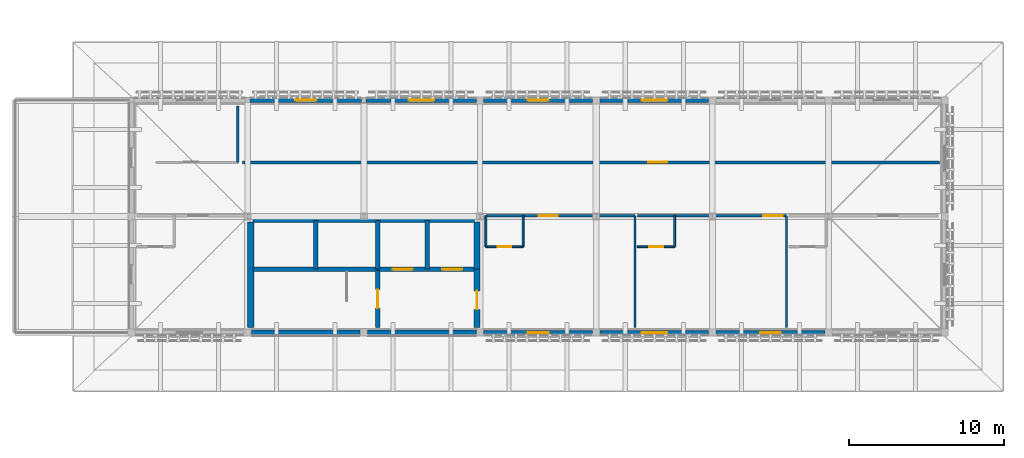
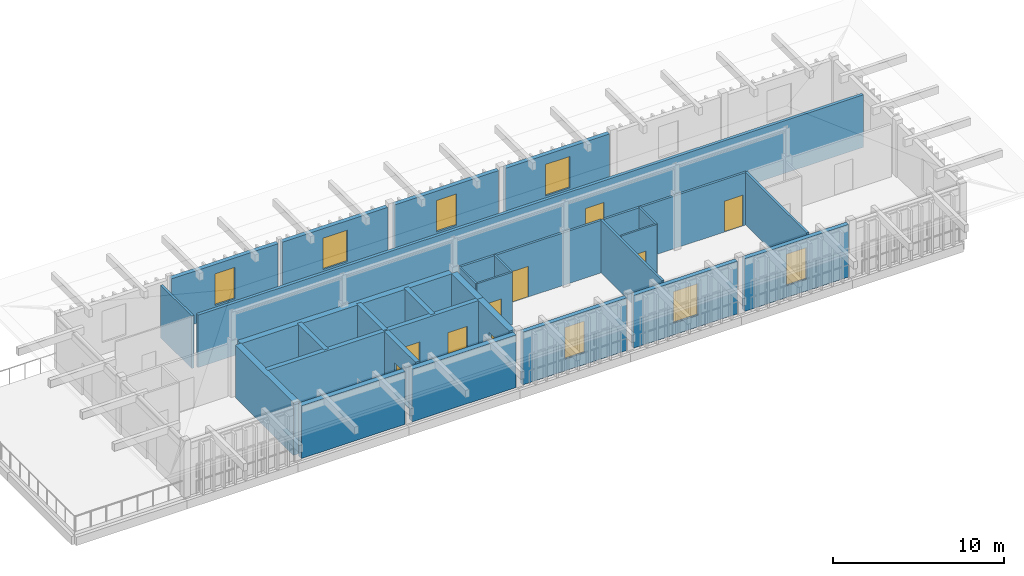
# One storey, part 18 of 33: 30 walls, 9 doors, 7 windows, 16 openings.
"""IFC4 building model written with IfcOpenShell, lengths in metres."""

from ifc_helpers import new_model, si_unit, direction, frame, frame_2d, origin, place, context, subcontext, project, spatial, rectangle, extrude, material, layer, layer_set, type_object, element, fill, save


model = new_model("IFC4")

# Units and contexts
model_context = context("Model", 3, precision=1e-05, world=origin(), true_north=direction((0.0, 1.0)))
body_context = subcontext(model_context, "Body", "Model", "MODEL_VIEW")
ifc_project = project(units=[si_unit("LENGTHUNIT", "METRE"), si_unit("AREAUNIT", "SQUARE_METRE"), si_unit("VOLUMEUNIT", "CUBIC_METRE"), si_unit("PLANEANGLEUNIT", "RADIAN"), si_unit("MASSUNIT", "GRAM", prefix="KILO")], contexts=[model_context])

# Site, building, storey
site_placement = place(None, origin())
site = spatial("IfcSite", under=ifc_project, at=site_placement, CompositionType="ELEMENT")
building_placement = place(site_placement, origin())
building = spatial("IfcBuilding", under=site, at=building_placement, Name="Dalvernix Boulevard General Hospital", CompositionType="ELEMENT")
storey_placement = place(building_placement, frame((0.0, 0.0, 21.89990234375)))
storey = spatial("IfcBuildingStorey", under=building, at=storey_placement, Name="L05", CompositionType="ELEMENT", Elevation=21.89990234375)

# Walls
ifc_material_1 = material(Name="Concrete C40/50", Category="concrete")
ifc_layer_1 = layer(ifc_material_1, 0.39990234375)
ifc_layer_set_1 = layer_set([ifc_layer_1], Name="Concrete C40/50 (WAL-CSW-01)")
wall_type_1 = type_object("IfcWallType", Name="WAL-CSW-01", PredefinedType="SHEAR", material=ifc_layer_set_1)
wall_1_placement = place(storey_placement, frame((127.85009765625, 14.800048828125, 0.0), z_axis=(0.0, 0.0, 1.0), x_axis=(1.0, 0.0, 0.0)))
element("IfcWall", 1, at=wall_1_placement, inside=storey, type_object=wall_type_1, Name="L05 C5 north shaft core wall", PredefinedType="SHEAR", context=body_context, shape_type="SweptSolid", body=[
    extrude(rectangle(XDim=14.2998046875, YDim=0.39990234375, at=frame_2d((7.14990234375, 0.0))), origin(), (0.0, 0.0, 1.0), 3.77001953125),
])
wall_2_placement = place(storey_placement, frame((127.699951171875, 7.85009765625, 0.0), z_axis=(0.0, 0.0, 1.0), x_axis=(0.0, 1.0, 0.0)))
element("IfcWall", 2, at=wall_2_placement, inside=storey, type_object=wall_type_1, Name="L05 C5 west core wall", PredefinedType="SHEAR", context=body_context, shape_type="SweptSolid", body=[
    extrude(rectangle(XDim=6.7998046875, YDim=0.39990234375, at=frame_2d((3.39990234375, 0.0))), origin(), (0.0, 0.0, 1.0), 3.77001953125),
])

# Wall, opening, door
wall_3_placement = place(storey_placement, frame((142.300048828125, 7.85009765625, 0.0), z_axis=(0.0, 0.0, 1.0), x_axis=(0.0, 1.0, 0.0)))
wall_3 = element("IfcWall", 3, at=wall_3_placement, inside=storey, type_object=wall_type_1, Name="L05 C5 east lobby core wall", PredefinedType="SHEAR", context=body_context, shape_type="SweptSolid", body=[
    extrude(rectangle(XDim=3.75, YDim=0.39990234375, at=frame_2d((1.875, 0.0))), origin(), (0.0, 0.0, 1.0), 3.77001953125),
])
opening_1_placement = place(wall_3_placement, frame((1.14990234375, 0.0, 0.0)))
opening_1 = element("IfcOpeningElement", 4, at=opening_1_placement, cuts=wall_3, Name="Opening FD-02", PredefinedType="OPENING", context=body_context, shape_type="SweptSolid", body=[
    extrude(rectangle(XDim=1.199951171875, YDim=2.25, at=frame_2d((0.60009765625, 1.125))), frame((0.0, 0.2099609375, 0.0), z_axis=(0.0, -1.0, 0.0), x_axis=(1.0, 0.0, 0.0)), (0.0, 0.0, 1.0), 0.419921875),
])
ifc_material_2 = material(Name="Hospital laminate acoustic timber and steel frame", Category="steel")
door_type_1 = type_object("IfcDoorType", Name="DR-FD-02", OperationType="NOTDEFINED", PredefinedType="DOOR", material=ifc_material_2)
door_1_placement = place(opening_1_placement, origin())
door_1 = element("IfcDoor", 5, at=door_1_placement, inside=storey, type_object=door_type_1, Name="L05 C5 east lobby fire door", OperationType="SINGLE_SWING_LEFT", OverallHeight=2.25, OverallWidth=1.199951171875, PredefinedType="DOOR", context=body_context, shape_type="SweptSolid", body=[
    extrude(rectangle(XDim=1.199951171875, YDim=2.25, at=frame_2d((0.60009765625, 1.125))), frame((0.0, 0.02490234375, 0.0), z_axis=(0.0, -1.0, 0.0), x_axis=(1.0, 0.0, 0.0)), (0.0, 0.0, 1.0), 0.050048828125),
])
fill(opening_1, door_1)

# Walls
wall_4_placement = place(storey_placement, frame((142.300048828125, 11.60009765625, 0.0), z_axis=(0.0, 0.0, 1.0), x_axis=(0.0, 1.0, 0.0)))
element("IfcWall", 6, at=wall_4_placement, inside=storey, type_object=wall_type_1, Name="L05 C5 east shaft core wall", PredefinedType="SHEAR", context=body_context, shape_type="SweptSolid", body=[
    extrude(rectangle(XDim=3.0498046875, YDim=0.39990234375, at=frame_2d((1.52490234375, 0.0))), origin(), (0.0, 0.0, 1.0), 3.77001953125),
])
ifc_layer_2 = layer(ifc_material_1, 0.300048828125)
ifc_layer_set_2 = layer_set([ifc_layer_2], Name="Concrete C40/50 (WAL-CSW-02)")
wall_type_2 = type_object("IfcWallType", Name="WAL-CSW-02", PredefinedType="SHEAR", material=ifc_layer_set_2)
wall_5_placement = place(storey_placement, frame((127.85009765625, 11.60009765625, 0.0), z_axis=(0.0, 0.0, 1.0), x_axis=(1.0, 0.0, 0.0)))
element("IfcWall", 7, at=wall_5_placement, inside=storey, type_object=wall_type_2, Name="L05 C5 riser spine wall", PredefinedType="SHEAR", context=body_context, shape_type="SweptSolid", body=[
    extrude(rectangle(XDim=8.0498046875, YDim=0.300048828125, at=frame_2d((4.02490234375, 0.0))), origin(), (0.0, 0.0, 1.0), 3.77001953125),
])

# Wall, openings, doors
wall_6_placement = place(storey_placement, frame((135.89990234375, 11.60009765625, 0.0), z_axis=(0.0, 0.0, 1.0), x_axis=(1.0, 0.0, 0.0)))
wall_6 = element("IfcWall", 8, at=wall_6_placement, inside=storey, type_object=wall_type_2, Name="L05 C5 lift shaft front wall", PredefinedType="SHEAR", context=body_context, shape_type="SweptSolid", body=[
    extrude(rectangle(XDim=6.25, YDim=0.300048828125, at=frame_2d((3.125, 0.0))), origin(), (0.0, 0.0, 1.0), 3.77001953125),
])
opening_2_placement = place(wall_6_placement, frame((0.949951171875, 0.0, 0.0)))
opening_2 = element("IfcOpeningElement", 9, at=opening_2_placement, cuts=wall_6, Name="Opening LD-LF-04-L05", PredefinedType="OPENING", context=body_context, shape_type="SweptSolid", body=[
    extrude(rectangle(XDim=1.300048828125, YDim=2.199951171875, at=frame_2d((0.64990234375, 1.10009765625))), frame((0.0, 0.159912109375, 0.0), z_axis=(0.0, -1.0, 0.0), x_axis=(1.0, 0.0, 0.0)), (0.0, 0.0, 1.0), 0.320068359375),
])
opening_3_placement = place(wall_6_placement, frame((4.14990234375, 0.0, 0.0)))
opening_3 = element("IfcOpeningElement", 10, at=opening_3_placement, cuts=wall_6, Name="Opening LD-LF-05-L05", PredefinedType="OPENING", context=body_context, shape_type="SweptSolid", body=[
    extrude(rectangle(XDim=1.300048828125, YDim=2.199951171875, at=frame_2d((0.64990234375, 1.10009765625))), frame((0.0, 0.159912109375, 0.0), z_axis=(0.0, -1.0, 0.0), x_axis=(1.0, 0.0, 0.0)), (0.0, 0.0, 1.0), 0.320068359375),
])
ifc_material_3 = material(Name="Stainless-clad steel", Category="steel")
door_type_2 = type_object("IfcDoorType", Name="DR-LD-02", OperationType="DOUBLE_DOOR_SLIDING", PredefinedType="DOOR", material=ifc_material_3)
door_2_placement = place(opening_2_placement, origin())
door_2 = element("IfcDoor", 11, at=door_2_placement, inside=storey, type_object=door_type_2, Name="L05 Lift LF-04 sliding landing door", OperationType="DOUBLE_DOOR_SLIDING", OverallHeight=2.199951171875, OverallWidth=1.300048828125, PredefinedType="DOOR", context=body_context, shape_type="SweptSolid", body=[
    extrude(rectangle(XDim=1.300048828125, YDim=2.199951171875, at=frame_2d((0.64990234375, 1.10009765625))), frame((0.0, 0.02490234375, 0.0), z_axis=(0.0, -1.0, 0.0), x_axis=(1.0, 0.0, 0.0)), (0.0, 0.0, 1.0), 0.050048828125),
])
fill(opening_2, door_2)
door_3_placement = place(opening_3_placement, origin())
door_3 = element("IfcDoor", 12, at=door_3_placement, inside=storey, type_object=door_type_2, Name="L05 Lift LF-05 sliding landing door", OperationType="DOUBLE_DOOR_SLIDING", OverallHeight=2.199951171875, OverallWidth=1.300048828125, PredefinedType="DOOR", context=body_context, shape_type="SweptSolid", body=[
    extrude(rectangle(XDim=1.300048828125, YDim=2.199951171875, at=frame_2d((0.64990234375, 1.10009765625))), frame((0.0, 0.02490234375, 0.0), z_axis=(0.0, -1.0, 0.0), x_axis=(1.0, 0.0, 0.0)), (0.0, 0.0, 1.0), 0.050048828125),
])
fill(opening_3, door_3)

# Wall, opening, door
wall_7_placement = place(storey_placement, frame((135.89990234375, 11.5, 0.0), z_axis=(0.0, 0.0, 1.0), x_axis=(0.0, -1.0, 0.0)))
wall_7 = element("IfcWall", 13, at=wall_7_placement, inside=storey, type_object=wall_type_2, Name="L05 C5 stairwell fire wall", PredefinedType="SHEAR", context=body_context, shape_type="SweptSolid", body=[
    extrude(rectangle(XDim=3.64990234375, YDim=0.300048828125, at=frame_2d((1.824951171875, 0.0))), origin(), (0.0, 0.0, 1.0), 3.77001953125),
])
opening_4_placement = place(wall_7_placement, frame((1.219970703125, 0.0, 0.0)))
opening_4 = element("IfcOpeningElement", 14, at=opening_4_placement, cuts=wall_7, Name="Opening FD-02", PredefinedType="OPENING", context=body_context, shape_type="SweptSolid", body=[
    extrude(rectangle(XDim=1.199951171875, YDim=2.25, at=frame_2d((0.60009765625, 1.125))), frame((0.0, 0.159912109375, 0.0), z_axis=(0.0, -1.0, 0.0), x_axis=(1.0, 0.0, 0.0)), (0.0, 0.0, 1.0), 0.320068359375),
])
door_4_placement = place(opening_4_placement, origin())
door_4 = element("IfcDoor", 15, at=door_4_placement, inside=storey, type_object=door_type_1, Name="L05 Stair ST-05 fire door", OperationType="SINGLE_SWING_LEFT", OverallHeight=2.25, OverallWidth=1.199951171875, PredefinedType="DOOR", context=body_context, shape_type="SweptSolid", body=[
    extrude(rectangle(XDim=1.199951171875, YDim=2.25, at=frame_2d((0.60009765625, 1.125))), frame((0.0, 0.02490234375, 0.0), z_axis=(0.0, -1.0, 0.0), x_axis=(1.0, 0.0, 0.0)), (0.0, 0.0, 1.0), 0.050048828125),
])
fill(opening_4, door_4)

# Walls
for number, where, z_axis, x_axis, name in (
    (16, (131.89990234375, 11.60009765625, 0.0), (0.0, 0.0, 1.0), (0.0, 1.0, 0.0), "L05 C5 shaft divider R1"),
    (17, (135.89990234375, 11.60009765625, 0.0), (0.0, 0.0, 1.0), (0.0, 1.0, 0.0), "L05 C5 shaft divider R2"),
    (18, (139.10009765625, 11.60009765625, 0.0), (0.0, 0.0, 1.0), (0.0, 1.0, 0.0), "L05 C5 shaft divider L1"),
):
    element("IfcWall", number, at=place(storey_placement, frame(where, z_axis=z_axis, x_axis=x_axis)), inside=storey, type_object=wall_type_2, Name=name, PredefinedType="SHEAR", context=body_context, shape_type="SweptSolid", body=[
        extrude(rectangle(XDim=3.14990234375, YDim=0.300048828125, at=frame_2d((1.574951171875, 0.0))), origin(), (0.0, 0.0, 1.0), 3.77001953125),
    ])
ifc_layer_3 = layer(ifc_material_1, 0.35009765625)
ifc_layer_set_3 = layer_set([ifc_layer_3], Name="Concrete C40/50 (WAL-ESW-01)")
wall_type_3 = type_object("IfcWallType", Name="WAL-ESW-01", PredefinedType="SHEAR", material=ifc_layer_set_3)
for number, where, z_axis, x_axis, name in (
    (19, (134.764892578125, 7.5, 0.0), (0.0, 0.0, 1.0), (-1.0, 0.0, 0.0), "L05 core perimeter shear wall S 17-1"),
    (20, (142.264892578125, 7.5, 0.0), (0.0, 0.0, 1.0), (-1.0, 0.0, 0.0), "L05 core perimeter shear wall S 18-1"),
):
    element("IfcWall", number, at=place(storey_placement, frame(where, z_axis=z_axis, x_axis=x_axis)), inside=storey, type_object=wall_type_3, Name=name, PredefinedType="SHEAR", context=body_context, shape_type="SweptSolid", body=[
        extrude(rectangle(XDim=7.02978515625, YDim=0.35009765625, at=frame_2d((3.514892578125, 0.0))), origin(), (0.0, 0.0, 1.0), 3.77001953125),
    ])

# Wall, opening, window
ifc_material_4 = material(Name="Screened upper-ward insulated masonry cavity wall C35/45", Category="masonry")
ifc_layer_4 = layer(ifc_material_4, 0.280029296875)
ifc_layer_set_4 = layer_set([ifc_layer_4], Name="Screened upper-ward insulated masonry cavity wall C35/45 (WAL-EW-03)")
wall_type_4 = type_object("IfcWallType", Name="WAL-EW-03", PredefinedType="STANDARD", material=ifc_layer_set_4)
wall_8_placement = place(storey_placement, frame((127.64990234375, 22.5, 0.0), z_axis=(0.0, 0.0, 1.0), x_axis=(1.0, 0.0, 0.0)))
wall_8 = element("IfcWall", 21, at=wall_8_placement, inside=storey, type_object=wall_type_4, Name="L05 Catalan brick external wall N 17-3", PredefinedType="STANDARD", context=body_context, shape_type="SweptSolid", body=[
    extrude(rectangle(XDim=7.2001953125, YDim=0.280029296875, at=frame_2d((3.60009765625, 0.0))), origin(), (0.0, 0.0, 1.0), 3.77001953125),
])
opening_5_placement = place(wall_8_placement, frame((2.925048828125, 0.0, 0.85009765625)))
opening_5 = element("IfcOpeningElement", 22, at=opening_5_placement, cuts=wall_8, Name="Opening WN-19", PredefinedType="OPENING", context=body_context, shape_type="SweptSolid", body=[
    extrude(rectangle(XDim=1.35009765625, YDim=2.25, at=frame_2d((0.675048828125, 1.125))), frame((0.0, 0.14990234375, 0.0), z_axis=(0.0, -1.0, 0.0), x_axis=(1.0, 0.0, 0.0)), (0.0, 0.0, 1.0), 0.300048828125),
])
ifc_material_5 = material(Name="Thermally broken aluminium frame with solar-control double glazing", Category="aluminium")
window_type_1 = type_object("IfcWindowType", Name="WIN-WN-19", PartitioningType="SINGLE_PANEL", PredefinedType="WINDOW", material=ifc_material_5)
window_1_placement = place(opening_5_placement, origin())
window_1 = element("IfcWindow", 23, at=window_1_placement, inside=storey, type_object=window_type_1, Name="L05 clinical window WN-19 N 17-3", OverallHeight=2.25, OverallWidth=1.35009765625, PartitioningType="SINGLE_PANEL", PredefinedType="WINDOW", context=body_context, shape_type="SweptSolid", body=[
    extrude(rectangle(XDim=1.35009765625, YDim=2.25, at=frame_2d((0.675048828125, 1.125))), frame((0.0, 0.030029296875, 0.0), z_axis=(0.0, -1.0, 0.0), x_axis=(1.0, 0.0, 0.0)), (0.0, 0.0, 1.0), 0.06005859375),
])
fill(opening_5, window_1)

wall_9_placement = place(storey_placement, frame((135.14990234375, 22.5, 0.0), z_axis=(0.0, 0.0, 1.0), x_axis=(1.0, 0.0, 0.0)))
wall_9 = element("IfcWall", 24, at=wall_9_placement, inside=storey, type_object=wall_type_4, Name="L05 Catalan brick external wall N 18-3", PredefinedType="STANDARD", context=body_context, shape_type="SweptSolid", body=[
    extrude(rectangle(XDim=7.114990234375, YDim=0.280029296875, at=frame_2d((3.5576171875, 0.0))), origin(), (0.0, 0.0, 1.0), 3.77001953125),
])
opening_6_placement = place(wall_9_placement, frame((2.732421875, 0.0, 0.85009765625)))
opening_6 = element("IfcOpeningElement", 25, at=opening_6_placement, cuts=wall_9, Name="Opening WN-20", PredefinedType="OPENING", context=body_context, shape_type="SweptSolid", body=[
    extrude(rectangle(XDim=1.64990234375, YDim=2.25, at=frame_2d((0.824951171875, 1.125))), frame((0.0, 0.14990234375, 0.0), z_axis=(0.0, -1.0, 0.0), x_axis=(1.0, 0.0, 0.0)), (0.0, 0.0, 1.0), 0.300048828125),
])
window_type_2 = type_object("IfcWindowType", Name="WIN-WN-20", PartitioningType="SINGLE_PANEL", PredefinedType="WINDOW", material=ifc_material_5)
window_2_placement = place(opening_6_placement, origin())
window_2 = element("IfcWindow", 26, at=window_2_placement, inside=storey, type_object=window_type_2, Name="L05 clinical window WN-20 N 18-3", OverallHeight=2.25, OverallWidth=1.64990234375, PartitioningType="SINGLE_PANEL", PredefinedType="WINDOW", context=body_context, shape_type="SweptSolid", body=[
    extrude(rectangle(XDim=1.64990234375, YDim=2.25, at=frame_2d((0.824951171875, 1.125))), frame((0.0, 0.030029296875, 0.0), z_axis=(0.0, -1.0, 0.0), x_axis=(1.0, 0.0, 0.0)), (0.0, 0.0, 1.0), 0.06005859375),
])
fill(opening_6, window_2)

wall_10_placement = place(storey_placement, frame((149.764892578125, 7.5, 0.0), z_axis=(0.0, 0.0, 1.0), x_axis=(-1.0, 0.0, 0.0)))
wall_10 = element("IfcWall", 27, at=wall_10_placement, inside=storey, type_object=wall_type_4, Name="L05 Catalan brick external wall S 19-1", PredefinedType="STANDARD", context=body_context, shape_type="SweptSolid", body=[
    extrude(rectangle(XDim=7.02978515625, YDim=0.280029296875, at=frame_2d((3.514892578125, 0.0))), origin(), (0.0, 0.0, 1.0), 3.77001953125),
])
opening_7_placement = place(wall_10_placement, frame((2.840087890625, 0.0, 0.85009765625)))
opening_7 = element("IfcOpeningElement", 28, at=opening_7_placement, cuts=wall_10, Name="Opening WN-19", PredefinedType="OPENING", context=body_context, shape_type="SweptSolid", body=[
    extrude(rectangle(XDim=1.35009765625, YDim=2.25, at=frame_2d((0.675048828125, 1.125))), frame((0.0, 0.14990234375, 0.0), z_axis=(0.0, -1.0, 0.0), x_axis=(1.0, 0.0, 0.0)), (0.0, 0.0, 1.0), 0.300048828125),
])
window_3_placement = place(opening_7_placement, origin())
window_3 = element("IfcWindow", 29, at=window_3_placement, inside=storey, type_object=window_type_1, Name="L05 clinical window WN-19 S 19-1", OverallHeight=2.25, OverallWidth=1.35009765625, PartitioningType="SINGLE_PANEL", PredefinedType="WINDOW", context=body_context, shape_type="SweptSolid", body=[
    extrude(rectangle(XDim=1.35009765625, YDim=2.25, at=frame_2d((0.675048828125, 1.125))), frame((0.0, 0.030029296875, 0.0), z_axis=(0.0, -1.0, 0.0), x_axis=(1.0, 0.0, 0.0)), (0.0, 0.0, 1.0), 0.06005859375),
])
fill(opening_7, window_3)

wall_11_placement = place(storey_placement, frame((142.735107421875, 22.5, 0.0), z_axis=(0.0, 0.0, 1.0), x_axis=(1.0, 0.0, 0.0)))
wall_11 = element("IfcWall", 30, at=wall_11_placement, inside=storey, type_object=wall_type_4, Name="L05 Catalan brick external wall N 19-3", PredefinedType="STANDARD", context=body_context, shape_type="SweptSolid", body=[
    extrude(rectangle(XDim=7.02978515625, YDim=0.280029296875, at=frame_2d((3.514892578125, 0.0))), origin(), (0.0, 0.0, 1.0), 3.77001953125),
])
opening_8_placement = place(wall_11_placement, frame((2.840087890625, 0.0, 0.85009765625)))
opening_8 = element("IfcOpeningElement", 31, at=opening_8_placement, cuts=wall_11, Name="Opening WN-19", PredefinedType="OPENING", context=body_context, shape_type="SweptSolid", body=[
    extrude(rectangle(XDim=1.35009765625, YDim=2.25, at=frame_2d((0.675048828125, 1.125))), frame((0.0, 0.14990234375, 0.0), z_axis=(0.0, -1.0, 0.0), x_axis=(1.0, 0.0, 0.0)), (0.0, 0.0, 1.0), 0.300048828125),
])
window_4_placement = place(opening_8_placement, origin())
window_4 = element("IfcWindow", 32, at=window_4_placement, inside=storey, type_object=window_type_1, Name="L05 clinical window WN-19 N 19-3", OverallHeight=2.25, OverallWidth=1.35009765625, PartitioningType="SINGLE_PANEL", PredefinedType="WINDOW", context=body_context, shape_type="SweptSolid", body=[
    extrude(rectangle(XDim=1.35009765625, YDim=2.25, at=frame_2d((0.675048828125, 1.125))), frame((0.0, 0.030029296875, 0.0), z_axis=(0.0, -1.0, 0.0), x_axis=(1.0, 0.0, 0.0)), (0.0, 0.0, 1.0), 0.06005859375),
])
fill(opening_8, window_4)

wall_12_placement = place(storey_placement, frame((157.264892578125, 7.5, 0.0), z_axis=(0.0, 0.0, 1.0), x_axis=(-1.0, 0.0, 0.0)))
wall_12 = element("IfcWall", 33, at=wall_12_placement, inside=storey, type_object=wall_type_4, Name="L05 Catalan brick external wall S 20-1", PredefinedType="STANDARD", context=body_context, shape_type="SweptSolid", body=[
    extrude(rectangle(XDim=7.02978515625, YDim=0.280029296875, at=frame_2d((3.514892578125, 0.0))), origin(), (0.0, 0.0, 1.0), 3.77001953125),
])
opening_9_placement = place(wall_12_placement, frame((2.68994140625, 0.0, 0.85009765625)))
opening_9 = element("IfcOpeningElement", 34, at=opening_9_placement, cuts=wall_12, Name="Opening WN-20", PredefinedType="OPENING", context=body_context, shape_type="SweptSolid", body=[
    extrude(rectangle(XDim=1.64990234375, YDim=2.25, at=frame_2d((0.824951171875, 1.125))), frame((0.0, 0.14990234375, 0.0), z_axis=(0.0, -1.0, 0.0), x_axis=(1.0, 0.0, 0.0)), (0.0, 0.0, 1.0), 0.300048828125),
])
window_5_placement = place(opening_9_placement, origin())
window_5 = element("IfcWindow", 35, at=window_5_placement, inside=storey, type_object=window_type_2, Name="L05 clinical window WN-20 S 20-1", OverallHeight=2.25, OverallWidth=1.64990234375, PartitioningType="SINGLE_PANEL", PredefinedType="WINDOW", context=body_context, shape_type="SweptSolid", body=[
    extrude(rectangle(XDim=1.64990234375, YDim=2.25, at=frame_2d((0.824951171875, 1.125))), frame((0.0, 0.030029296875, 0.0), z_axis=(0.0, -1.0, 0.0), x_axis=(1.0, 0.0, 0.0)), (0.0, 0.0, 1.0), 0.06005859375),
])
fill(opening_9, window_5)

wall_13_placement = place(storey_placement, frame((150.235107421875, 22.5, 0.0), z_axis=(0.0, 0.0, 1.0), x_axis=(1.0, 0.0, 0.0)))
wall_13 = element("IfcWall", 36, at=wall_13_placement, inside=storey, type_object=wall_type_4, Name="L05 Catalan brick external wall N 20-3", PredefinedType="STANDARD", context=body_context, shape_type="SweptSolid", body=[
    extrude(rectangle(XDim=7.02978515625, YDim=0.280029296875, at=frame_2d((3.514892578125, 0.0))), origin(), (0.0, 0.0, 1.0), 3.77001953125),
])
opening_10_placement = place(wall_13_placement, frame((2.68994140625, 0.0, 0.85009765625)))
opening_10 = element("IfcOpeningElement", 37, at=opening_10_placement, cuts=wall_13, Name="Opening WN-20", PredefinedType="OPENING", context=body_context, shape_type="SweptSolid", body=[
    extrude(rectangle(XDim=1.64990234375, YDim=2.25, at=frame_2d((0.824951171875, 1.125))), frame((0.0, 0.14990234375, 0.0), z_axis=(0.0, -1.0, 0.0), x_axis=(1.0, 0.0, 0.0)), (0.0, 0.0, 1.0), 0.300048828125),
])
window_6_placement = place(opening_10_placement, origin())
window_6 = element("IfcWindow", 38, at=window_6_placement, inside=storey, type_object=window_type_2, Name="L05 clinical window WN-20 N 20-3", OverallHeight=2.25, OverallWidth=1.64990234375, PartitioningType="SINGLE_PANEL", PredefinedType="WINDOW", context=body_context, shape_type="SweptSolid", body=[
    extrude(rectangle(XDim=1.64990234375, YDim=2.25, at=frame_2d((0.824951171875, 1.125))), frame((0.0, 0.030029296875, 0.0), z_axis=(0.0, -1.0, 0.0), x_axis=(1.0, 0.0, 0.0)), (0.0, 0.0, 1.0), 0.06005859375),
])
fill(opening_10, window_6)

wall_14_placement = place(storey_placement, frame((164.764892578125, 7.5, 0.0), z_axis=(0.0, 0.0, 1.0), x_axis=(-1.0, 0.0, 0.0)))
wall_14 = element("IfcWall", 39, at=wall_14_placement, inside=storey, type_object=wall_type_4, Name="L05 Catalan brick external wall S 21-1", PredefinedType="STANDARD", context=body_context, shape_type="SweptSolid", body=[
    extrude(rectangle(XDim=7.02978515625, YDim=0.280029296875, at=frame_2d((3.514892578125, 0.0))), origin(), (0.0, 0.0, 1.0), 3.77001953125),
])
opening_11_placement = place(wall_14_placement, frame((2.840087890625, 0.0, 0.85009765625)))
opening_11 = element("IfcOpeningElement", 40, at=opening_11_placement, cuts=wall_14, Name="Opening WN-19", PredefinedType="OPENING", context=body_context, shape_type="SweptSolid", body=[
    extrude(rectangle(XDim=1.35009765625, YDim=2.25, at=frame_2d((0.675048828125, 1.125))), frame((0.0, 0.14990234375, 0.0), z_axis=(0.0, -1.0, 0.0), x_axis=(1.0, 0.0, 0.0)), (0.0, 0.0, 1.0), 0.300048828125),
])
window_7_placement = place(opening_11_placement, origin())
window_7 = element("IfcWindow", 41, at=window_7_placement, inside=storey, type_object=window_type_1, Name="L05 clinical window WN-19 S 21-1", OverallHeight=2.25, OverallWidth=1.35009765625, PartitioningType="SINGLE_PANEL", PredefinedType="WINDOW", context=body_context, shape_type="SweptSolid", body=[
    extrude(rectangle(XDim=1.35009765625, YDim=2.25, at=frame_2d((0.675048828125, 1.125))), frame((0.0, 0.030029296875, 0.0), z_axis=(0.0, -1.0, 0.0), x_axis=(1.0, 0.0, 0.0)), (0.0, 0.0, 1.0), 0.06005859375),
])
fill(opening_11, window_7)

# Wall, opening, door
ifc_material_6 = material(Name="Fire-compartment corridor masonry wall", Category="masonry")
ifc_layer_5 = layer(ifc_material_6, 0.199951171875)
ifc_layer_set_5 = layer_set([ifc_layer_5], Name="Fire-compartment corridor masonry wall (WAL-IW-02)")
wall_type_5 = type_object("IfcWallType", Name="WAL-IW-02", PredefinedType="STANDARD", material=ifc_layer_set_5)
wall_15_placement = place(storey_placement, frame((127.14990234375, 18.5, 0.0), z_axis=(0.0, 0.0, 1.0), x_axis=(1.0, 0.0, 0.0)))
wall_15 = element("IfcWall", 42, at=wall_15_placement, inside=storey, type_object=wall_type_5, Name="L05 Maternity and Oncology Nurse Station L05 corridor wall", PredefinedType="STANDARD", context=body_context, shape_type="SweptSolid", body=[
    extrude(rectangle(XDim=45.0, YDim=0.199951171875, at=frame_2d((22.5, 0.0))), origin(), (0.0, 0.0, 1.0), 3.755126953125),
])
opening_12_placement = place(wall_15_placement, frame((26.199951171875, 0.0, 0.0)))
opening_12 = element("IfcOpeningElement", 43, at=opening_12_placement, cuts=wall_15, Name="Opening ID-04", PredefinedType="OPENING", context=body_context, shape_type="SweptSolid", body=[
    extrude(rectangle(XDim=1.25, YDim=2.199951171875, at=frame_2d((0.625, 1.10009765625))), frame((0.0, 0.10986328125, 0.0), z_axis=(0.0, -1.0, 0.0), x_axis=(1.0, 0.0, 0.0)), (0.0, 0.0, 1.0), 0.219970703125),
])
door_type_3 = type_object("IfcDoorType", Name="DR-ID-04", OperationType="NOTDEFINED", PredefinedType="DOOR", material=ifc_material_2)
door_5_placement = place(opening_12_placement, origin())
door_5 = element("IfcDoor", 44, at=door_5_placement, inside=storey, type_object=door_type_3, Name="L05 Maternity and Oncology Nurse Station L05 door", OperationType="SINGLE_SWING_LEFT", OverallHeight=2.199951171875, OverallWidth=1.25, PredefinedType="DOOR", context=body_context, shape_type="SweptSolid", body=[
    extrude(rectangle(XDim=1.25, YDim=2.199951171875, at=frame_2d((0.625, 1.10009765625))), frame((0.0, 0.02490234375, 0.0), z_axis=(0.0, -1.0, 0.0), x_axis=(1.0, 0.0, 0.0)), (0.0, 0.0, 1.0), 0.050048828125),
])
fill(opening_12, door_5)

ifc_material_7 = material(Name="Acoustic double-stud gypsum inpatient partition")
ifc_layer_6 = layer(ifc_material_7, 0.14990234375)
ifc_layer_set_6 = layer_set([ifc_layer_6], Name="Acoustic double-stud gypsum inpatient partition (WAL-IW-04)")
wall_type_6 = type_object("IfcWallType", Name="WAL-IW-04", PredefinedType="PARTITIONING", material=ifc_layer_set_6)
wall_16_placement = place(storey_placement, frame((152.50341796875, 15.050048828125, 0.0), z_axis=(0.0, 0.0, 1.0), x_axis=(-1.0, 0.0, 0.0)))
wall_16 = element("IfcWall", 45, at=wall_16_placement, inside=storey, type_object=wall_type_6, Name="L05 Oncology Inpatient Suite 01 corridor wall", PredefinedType="PARTITIONING", context=body_context, shape_type="SweptSolid", body=[
    extrude(rectangle(XDim=9.62353515625, YDim=0.14990234375, at=frame_2d((4.811767578125, 0.0))), origin(), (0.0, 0.0, 1.0), 3.755126953125),
])
opening_13_placement = place(wall_16_placement, frame((4.97412109375, 0.0, 0.0)))
opening_13 = element("IfcOpeningElement", 46, at=opening_13_placement, cuts=wall_16, Name="Opening ID-04", PredefinedType="OPENING", context=body_context, shape_type="SweptSolid", body=[
    extrude(rectangle(XDim=1.25, YDim=2.199951171875, at=frame_2d((0.625, 1.10009765625))), frame((0.0, 0.0849609375, 0.0), z_axis=(0.0, -1.0, 0.0), x_axis=(1.0, 0.0, 0.0)), (0.0, 0.0, 1.0), 0.169921875),
])
door_6_placement = place(opening_13_placement, origin())
door_6 = element("IfcDoor", 47, at=door_6_placement, inside=storey, type_object=door_type_3, Name="L05 Oncology Inpatient Suite 01 door", OperationType="SINGLE_SWING_RIGHT", OverallHeight=2.199951171875, OverallWidth=1.25, PredefinedType="DOOR", context=body_context, shape_type="SweptSolid", body=[
    extrude(rectangle(XDim=1.25, YDim=2.199951171875, at=frame_2d((0.625, 1.10009765625))), frame((0.0, 0.02490234375, 0.0), z_axis=(0.0, -1.0, 0.0), x_axis=(1.0, 0.0, 0.0)), (0.0, 0.0, 1.0), 0.050048828125),
])
fill(opening_13, door_6)

wall_17_placement = place(storey_placement, frame((162.28662109375, 15.050048828125, 0.0), z_axis=(0.0, 0.0, 1.0), x_axis=(-1.0, 0.0, 0.0)))
wall_17 = element("IfcWall", 48, at=wall_17_placement, inside=storey, type_object=wall_type_6, Name="L05 Oncology Inpatient Suite 02 corridor wall", PredefinedType="PARTITIONING", context=body_context, shape_type="SweptSolid", body=[
    extrude(rectangle(XDim=9.623291015625, YDim=0.14990234375, at=frame_2d((4.8115234375, 0.0))), origin(), (0.0, 0.0, 1.0), 3.755126953125),
])
opening_14_placement = place(wall_17_placement, frame((0.25, 0.0, 0.0)))
opening_14 = element("IfcOpeningElement", 49, at=opening_14_placement, cuts=wall_17, Name="Opening ID-04", PredefinedType="OPENING", context=body_context, shape_type="SweptSolid", body=[
    extrude(rectangle(XDim=1.25, YDim=2.199951171875, at=frame_2d((0.625, 1.10009765625))), frame((0.0, 0.0849609375, 0.0), z_axis=(0.0, -1.0, 0.0), x_axis=(1.0, 0.0, 0.0)), (0.0, 0.0, 1.0), 0.169921875),
])
door_7_placement = place(opening_14_placement, origin())
door_7 = element("IfcDoor", 50, at=door_7_placement, inside=storey, type_object=door_type_3, Name="L05 Oncology Inpatient Suite 02 door", OperationType="SINGLE_SWING_RIGHT", OverallHeight=2.199951171875, OverallWidth=1.25, PredefinedType="DOOR", context=body_context, shape_type="SweptSolid", body=[
    extrude(rectangle(XDim=1.25, YDim=2.199951171875, at=frame_2d((0.625, 1.10009765625))), frame((0.0, 0.02490234375, 0.0), z_axis=(0.0, -1.0, 0.0), x_axis=(1.0, 0.0, 0.0)), (0.0, 0.0, 1.0), 0.050048828125),
])
fill(opening_14, door_7)

# Walls
for number, where, z_axis, x_axis, name in (
    (51, (152.50341796875, 7.85009765625, 0.0), (0.0, 0.0, 1.0), (0.0, 1.0, 0.0), "L05 Oncology Inpatient Suite 01 partition"),
    (52, (162.28662109375, 7.85009765625, 0.0), (0.0, 0.0, 1.0), (0.0, 1.0, 0.0), "L05 Oncology Inpatient Suite 02 partition"),
):
    element("IfcWall", number, at=place(storey_placement, frame(where, z_axis=z_axis, x_axis=x_axis)), inside=storey, type_object=wall_type_6, Name=name, PredefinedType="PARTITIONING", context=body_context, shape_type="SweptSolid", body=[
        extrude(rectangle(XDim=7.199951171875, YDim=0.14990234375, at=frame_2d((3.60009765625, 0.0))), origin(), (0.0, 0.0, 1.0), 3.755126953125),
    ])
wall_18_placement = place(storey_placement, frame((126.85009765625, 18.5, 0.0), z_axis=(0.0, 0.0, 1.0), x_axis=(0.0, 1.0, 0.0)))
element("IfcWall", 53, at=wall_18_placement, inside=storey, type_object=wall_type_6, Name="L05 Accessible WC L05 South-East partition", PredefinedType="PARTITIONING", context=body_context, shape_type="SweptSolid", body=[
    extrude(rectangle(XDim=3.64990234375, YDim=0.14990234375, at=frame_2d((1.824951171875, 0.0))), origin(), (0.0, 0.0, 1.0), 3.755126953125),
])

# Wall, opening, door
ifc_material_8 = material(Name="Moisture-resistant en-suite bathroom partition")
ifc_layer_7 = layer(ifc_material_8, 0.1201171875)
ifc_layer_set_7 = layer_set([ifc_layer_7], Name="Moisture-resistant en-suite bathroom partition (WAL-IW-05)")
wall_type_7 = type_object("IfcWallType", Name="WAL-IW-05", PredefinedType="PARTITIONING", material=ifc_layer_set_7)
wall_19_placement = place(storey_placement, frame((142.8798828125, 13.050048828125, 0.0), z_axis=(0.0, 0.0, 1.0), x_axis=(1.0, 0.0, 0.0)))
wall_19 = element("IfcWall", 54, at=wall_19_placement, inside=storey, type_object=wall_type_7, Name="L05 en-suite bathroom door wall", PredefinedType="PARTITIONING", context=body_context, shape_type="SweptSolid", body=[
    extrude(rectangle(XDim=2.400146484375, YDim=0.1201171875, at=frame_2d((1.2001953125, 0.0))), origin(), (0.0, 0.0, 1.0), 3.755126953125),
])
opening_15_placement = place(wall_19_placement, frame((0.75, 0.0, 0.0)))
opening_15 = element("IfcOpeningElement", 55, at=opening_15_placement, cuts=wall_19, Name="Opening ID-05", PredefinedType="OPENING", context=body_context, shape_type="SweptSolid", body=[
    extrude(rectangle(XDim=0.89990234375, YDim=2.10009765625, at=frame_2d((0.449951171875, 1.050048828125))), frame((0.0, 0.070068359375, 0.0), z_axis=(0.0, -1.0, 0.0), x_axis=(1.0, 0.0, 0.0)), (0.0, 0.0, 1.0), 0.14013671875),
])
door_type_4 = type_object("IfcDoorType", Name="DR-ID-05", OperationType="NOTDEFINED", PredefinedType="DOOR", material=ifc_material_2)
door_8_placement = place(opening_15_placement, origin())
door_8 = element("IfcDoor", 56, at=door_8_placement, inside=storey, type_object=door_type_4, Name="L05 L05-V5-E1 en-suite bathroom door", OperationType="SINGLE_SWING_LEFT", OverallHeight=2.10009765625, OverallWidth=0.89990234375, PredefinedType="DOOR", context=body_context, shape_type="SweptSolid", body=[
    extrude(rectangle(XDim=0.89990234375, YDim=2.10009765625, at=frame_2d((0.449951171875, 1.050048828125))), frame((0.0, 0.02490234375, 0.0), z_axis=(0.0, -1.0, 0.0), x_axis=(1.0, 0.0, 0.0)), (0.0, 0.0, 1.0), 0.050048828125),
])
fill(opening_15, door_8)

# Wall
wall_20_placement = place(storey_placement, frame((145.280029296875, 13.050048828125, 0.0), z_axis=(0.0, 0.0, 1.0), x_axis=(0.0, 1.0, 0.0)))
element("IfcWall", 57, at=wall_20_placement, inside=storey, type_object=wall_type_7, Name="L05 en-suite bathroom side wall", PredefinedType="PARTITIONING", context=body_context, shape_type="SweptSolid", body=[
    extrude(rectangle(XDim=2.0, YDim=0.1201171875, at=frame_2d((1.0, 0.0))), origin(), (0.0, 0.0, 1.0), 3.755126953125),
])

# Wall, opening, door
wall_21_placement = place(storey_placement, frame((152.663330078125, 13.050048828125, 0.0), z_axis=(0.0, 0.0, 1.0), x_axis=(1.0, 0.0, 0.0)))
wall_21 = element("IfcWall", 58, at=wall_21_placement, inside=storey, type_object=wall_type_7, Name="L05 en-suite bathroom door wall", PredefinedType="PARTITIONING", context=body_context, shape_type="SweptSolid", body=[
    extrude(rectangle(XDim=2.39990234375, YDim=0.1201171875, at=frame_2d((1.199951171875, 0.0))), origin(), (0.0, 0.0, 1.0), 3.755126953125),
])
opening_16_placement = place(wall_21_placement, frame((0.75, 0.0, 0.0)))
opening_16 = element("IfcOpeningElement", 59, at=opening_16_placement, cuts=wall_21, Name="Opening ID-05", PredefinedType="OPENING", context=body_context, shape_type="SweptSolid", body=[
    extrude(rectangle(XDim=0.89990234375, YDim=2.10009765625, at=frame_2d((0.449951171875, 1.050048828125))), frame((0.0, 0.070068359375, 0.0), z_axis=(0.0, -1.0, 0.0), x_axis=(1.0, 0.0, 0.0)), (0.0, 0.0, 1.0), 0.14013671875),
])
door_9_placement = place(opening_16_placement, origin())
door_9 = element("IfcDoor", 60, at=door_9_placement, inside=storey, type_object=door_type_4, Name="L05 L05-V5-E2 en-suite bathroom door", OperationType="SINGLE_SWING_LEFT", OverallHeight=2.10009765625, OverallWidth=0.89990234375, PredefinedType="DOOR", context=body_context, shape_type="SweptSolid", body=[
    extrude(rectangle(XDim=0.89990234375, YDim=2.10009765625, at=frame_2d((0.449951171875, 1.050048828125))), frame((0.0, 0.02490234375, 0.0), z_axis=(0.0, -1.0, 0.0), x_axis=(1.0, 0.0, 0.0)), (0.0, 0.0, 1.0), 0.050048828125),
])
fill(opening_16, door_9)

# Walls
for number, where, z_axis, x_axis, name in (
    (61, (155.063232421875, 13.050048828125, 0.0), (0.0, 0.0, 1.0), (0.0, 1.0, 0.0), "L05 en-suite bathroom side wall"),
    (62, (142.8798828125, 13.050048828125, 0.0), (0.0, 0.0, 1.0), (0.0, 1.0, 0.0), "L05 En-suite Bathroom V5-E1 enclosure wall W"),
):
    element("IfcWall", number, at=place(storey_placement, frame(where, z_axis=z_axis, x_axis=x_axis)), inside=storey, type_object=wall_type_7, Name=name, PredefinedType="PARTITIONING", context=body_context, shape_type="SweptSolid", body=[
        extrude(rectangle(XDim=2.0, YDim=0.1201171875, at=frame_2d((1.0, 0.0))), origin(), (0.0, 0.0, 1.0), 3.755126953125),
    ])

save(model, "model.ifc")
